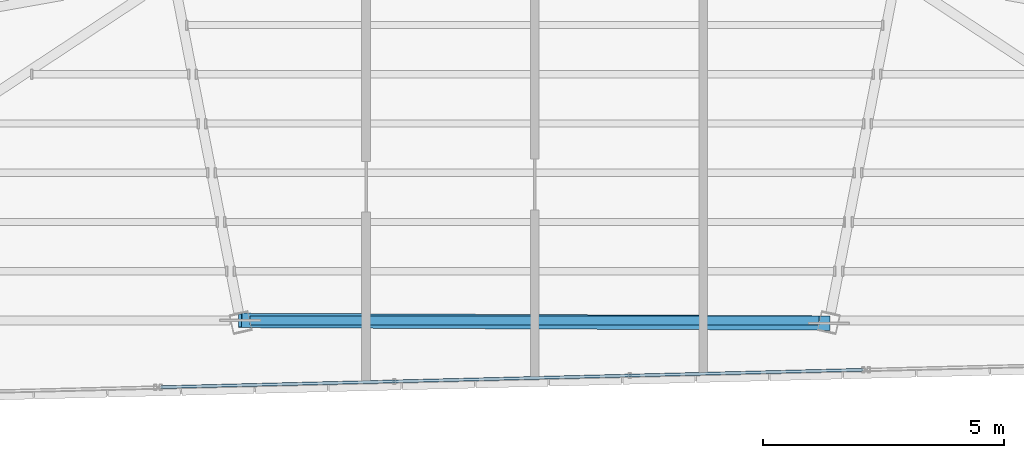
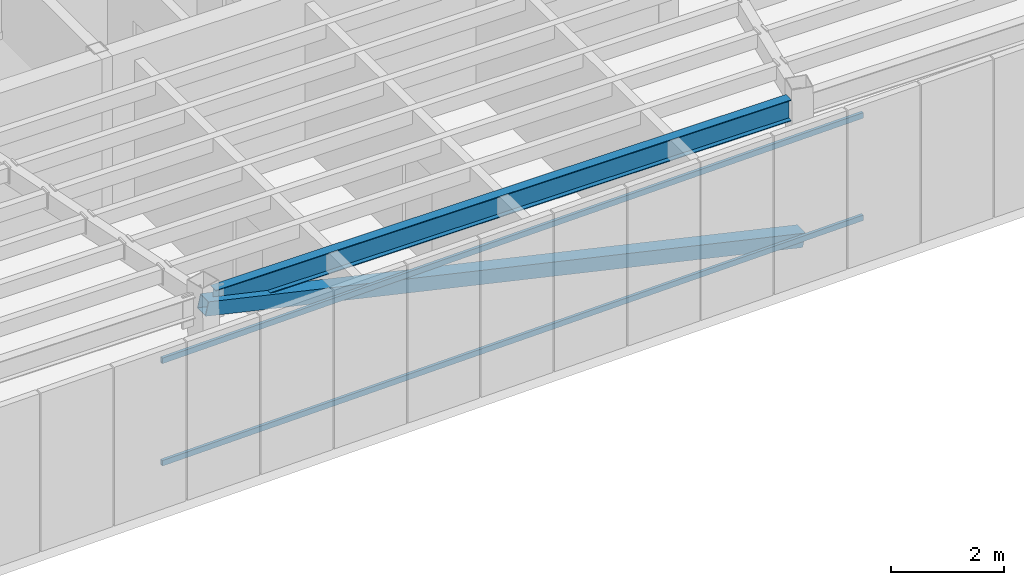
# One storey, part 12 of 48: 3 members, 1 beam, 1 element without a shape of its own.
"""IFC4 building model written with IfcOpenShell, lengths in metres."""

from ifc_helpers import new_model, si_unit, direction, frame, origin, origin_2d, place, context, subcontext, project, spatial, hollow_rectangle, i_section, extrude, source, transform, mapped, material, material_profile, profile_set, type_object, type_shapes, element, aggregate, save


model = new_model("IFC4")

# Units and contexts
model_context = context("Model", 3, precision=1e-05, world=origin(), true_north=direction((0.0, 1.0)))
body_context = subcontext(model_context, "Body", "Model", "MODEL_VIEW")
ifc_project = project(units=[si_unit("LENGTHUNIT", "METRE"), si_unit("AREAUNIT", "SQUARE_METRE"), si_unit("VOLUMEUNIT", "CUBIC_METRE"), si_unit("PLANEANGLEUNIT", "RADIAN"), si_unit("MASSUNIT", "GRAM", prefix="KILO")], contexts=[model_context])

# Site, building, storey
site_placement = place(None, origin())
site = spatial("IfcSite", under=ifc_project, at=site_placement, CompositionType="ELEMENT")
building_placement = place(site_placement, origin())
building = spatial("IfcBuilding", under=site, at=building_placement, Name="Caelisora Broadcast Tower", CompositionType="ELEMENT")
storey_placement = place(building_placement, frame((0.0, 0.0, 300.0)))
storey = spatial("IfcBuildingStorey", under=building, at=storey_placement, Name="L79", CompositionType="ELEMENT", Elevation=300.0)

# Beam
ifc_material_1 = material(Name="Steel Grade 350 (AS/NZS 3679.1)", Category="steel")
ifc_material_profile_1 = material_profile(ifc_material_1, i_section(OverallWidth=0.19091796875, OverallDepth=0.46044921875, WebThickness=0.010009765625, FlangeThickness=0.01611328125, at=origin_2d()), Name="Steel Grade 350 (AS/NZS 3679.1)")
ifc_profile_set_1 = profile_set([ifc_material_profile_1], Name="Steel Grade 350 (AS/NZS 3679.1)")
beam_type = type_object("IfcBeamType", Name="PG06", PredefinedType="BEAM", material=ifc_profile_set_1)
shared_shape_1 = source(origin(), body_context, "Body", "SweptSolid", [
    extrude(i_section(OverallWidth=0.19091796875, OverallDepth=0.46044921875, WebThickness=0.010009765625, FlangeThickness=0.01611328125, at=origin_2d()), origin(), (0.0, 0.0, 1.0), 11.8095703125),
])
type_shapes(beam_type, [shared_shape_1])
beam_placement = place(storey_placement, frame((32.09521484375, 10.25, 2.919921875), z_axis=(1.0, 0.0, 0.0), x_axis=(0.0, 1.0, 0.0)))
element("IfcBeam", 1, at=beam_placement, inside=storey, type_object=beam_type, Name="L79 beam PG06", PredefinedType="BEAM", context=body_context, shape_type="MappedRepresentation", body=[
    mapped(shared_shape_1, transform((0.0, 0.0, 0.0), scale=1.0)),
])

# Member
ifc_material_2 = material(Name="Steel Grade 450 (AS/NZS 1163 C450L0)", Category="steel")
ifc_material_profile_2 = material_profile(ifc_material_2, hollow_rectangle(XDim=0.300048828125, YDim=0.300048828125, WallThickness=0.012451171875, at=origin_2d()), Name="Steel Grade 450 (AS/NZS 1163 C450L0)")
ifc_profile_set_2 = profile_set([ifc_material_profile_2], Name="Steel Grade 450 (AS/NZS 1163 C450L0)")
member_type_1 = type_object("IfcMemberType", Name="BR06", PredefinedType="BRACE", material=ifc_profile_set_2)
shared_shape_2 = source(origin(), body_context, "Body", "SweptSolid", [
    extrude(hollow_rectangle(XDim=0.300048828125, YDim=0.300048828125, WallThickness=0.012451171875, at=origin_2d()), origin(), (0.0, 0.0, 1.0), 12.51904296875),
])
type_shapes(member_type_1, [shared_shape_2])
member_1_placement = place(storey_placement, frame((31.88720703125, 10.25, 2.85009765625), z_axis=(0.975565540554, -0.004348847887, -0.21966557219), x_axis=(0.004457726823, 0.999990064286, 0.0)))
element("IfcMember", 2, at=member_1_placement, inside=storey, type_object=member_type_1, Name="L79 perimeter brace BR06", PredefinedType="BRACE", context=body_context, shape_type="MappedRepresentation", body=[
    mapped(shared_shape_2, transform((0.0, 0.0, 0.0), scale=1.0)),
])

# Curtain wall, members
ifc_material_3 = material(Name="Unitised Aluminium Insulated Shadow-Box Spandrel Curtain Wall", Category="aluminium")
curtain_wall_type = type_object("IfcCurtainWallType", Name="CW-SP3", PredefinedType="NOTDEFINED", material=ifc_material_3)
curtain_wall_placement = place(storey_placement, origin())
curtain_wall = element("IfcCurtainWall", 3, at=curtain_wall_placement, inside=storey, type_object=curtain_wall_type, Name="L79 curtain wall CW-SP3", PredefinedType="NOTDEFINED")
ifc_material_4 = material(Name="Aluminium 6063-T6 Anodised Terracotta Bronze", Category="aluminium")
ifc_material_profile_3 = material_profile(ifc_material_4, hollow_rectangle(XDim=0.06005859375, YDim=0.1201171875, WallThickness=0.0029296875, at=origin_2d()), Name="Aluminium 6063-T6 Anodised Terracotta Bronze")
ifc_profile_set_3 = profile_set([ifc_material_profile_3], Name="Aluminium 6063-T6 Anodised Terracotta Bronze")
member_type_2 = type_object("IfcMemberType", Name="CWT-03", PredefinedType="USERDEFINED", material=ifc_profile_set_3)
shared_shape_3 = source(origin(), body_context, "Body", "SweptSolid", [
    extrude(hollow_rectangle(XDim=0.06005859375, YDim=0.1201171875, WallThickness=0.0029296875, at=origin_2d()), origin(), (0.0, 0.0, 1.0), 14.59033203125),
])
type_shapes(member_type_2, [shared_shape_3])
member_2_placement = place(storey_placement, frame((44.822021484375, 9.22607421875, 0.85009765625), z_axis=(-0.999692062149, -0.024814932515, 0.0), x_axis=(0.024814932515, -0.999692062149, 0.0)))
member_2 = element("IfcMember", 4, at=member_2_placement, type_object=member_type_2, Name="L79-CW-B06 transom #1", ObjectType="TRANSOM", PredefinedType="USERDEFINED", context=body_context, shape_type="MappedRepresentation", body=[
    mapped(shared_shape_3, transform((0.0, 0.0, 0.0), scale=1.0)),
])
member_3_placement = place(storey_placement, frame((44.822021484375, 9.22607421875, 3.070068359375), z_axis=(-0.999692062149, -0.024814932515, 0.0), x_axis=(0.024814932515, -0.999692062149, 0.0)))
member_3 = element("IfcMember", 5, at=member_3_placement, type_object=member_type_2, Name="L79-CW-B06 transom #2", ObjectType="TRANSOM", PredefinedType="USERDEFINED", context=body_context, shape_type="MappedRepresentation", body=[
    mapped(shared_shape_3, transform((0.0, 0.0, 0.0), scale=1.0)),
])
aggregate(curtain_wall, [member_2, member_3])

save(model, "model.ifc")
